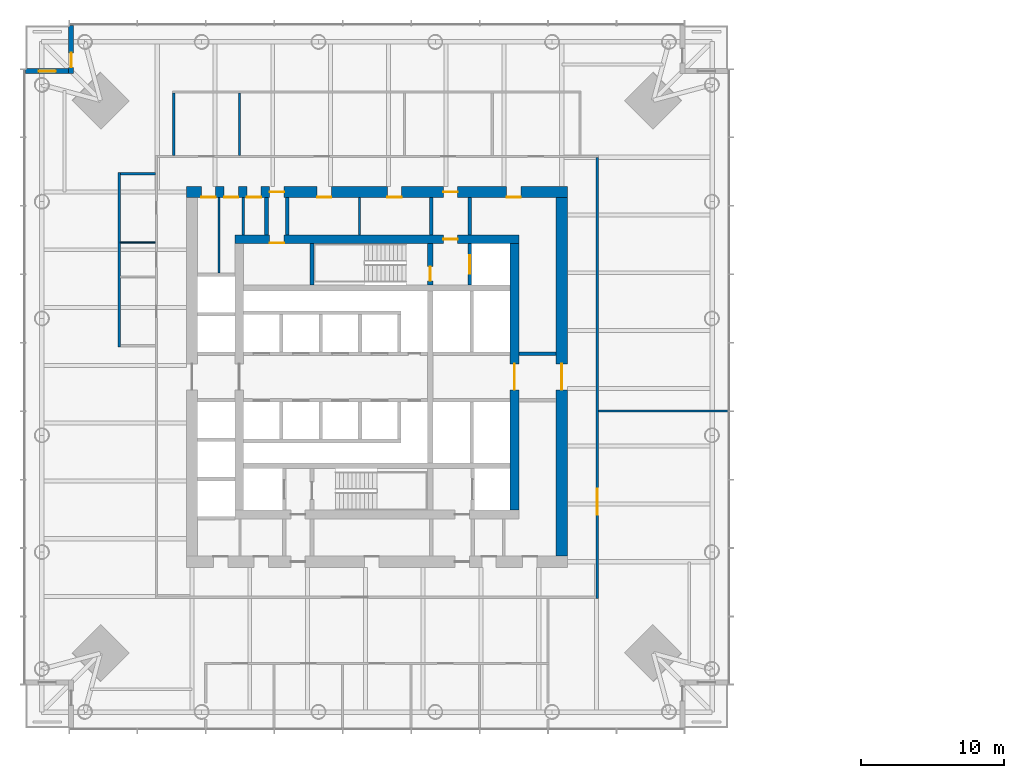
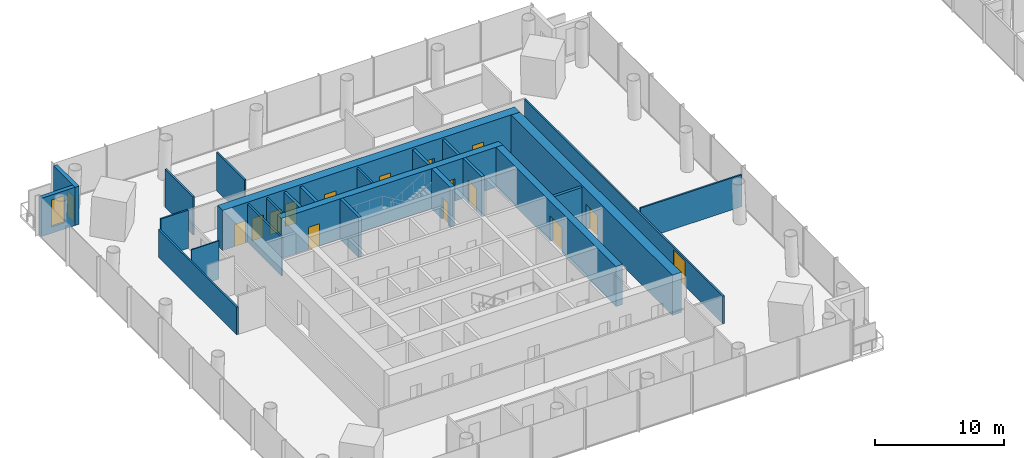
# One storey, part 12 of 22: 24 walls, 16 doors, 1 window, 17 openings.
"""IFC4 building model written with IfcOpenShell, lengths in metres."""

from ifc_helpers import new_model, si_unit, direction, frame, frame_2d, origin, place, context, subcontext, project, spatial, rectangle, extrude, material, layer, layer_set, type_object, element, fill, save


model = new_model("IFC4")

# Units and contexts
model_context = context("Model", 3, precision=1e-05, world=origin(), true_north=direction((0.0, 1.0)))
body_context = subcontext(model_context, "Body", "Model", "MODEL_VIEW")
ifc_project = project(units=[si_unit("LENGTHUNIT", "METRE"), si_unit("AREAUNIT", "SQUARE_METRE"), si_unit("VOLUMEUNIT", "CUBIC_METRE"), si_unit("PLANEANGLEUNIT", "RADIAN"), si_unit("MASSUNIT", "GRAM", prefix="KILO")], contexts=[model_context])

# Site, building, storey
site_placement = place(None, origin())
site = spatial("IfcSite", under=ifc_project, at=site_placement, CompositionType="ELEMENT")
building_placement = place(site_placement, origin())
building = spatial("IfcBuilding", under=site, at=building_placement, Name="Ostroluk Exchange", CompositionType="ELEMENT")
storey_placement = place(building_placement, frame((0.0, 0.0, 40.0)))
storey = spatial("IfcBuildingStorey", under=building, at=storey_placement, Name="L09", CompositionType="ELEMENT", Elevation=40.0)

# Walls
ifc_material_1 = material(Name="Concrete blockwork", Category="masonry")
ifc_layer_1 = layer(ifc_material_1, 0.10009765625)
ifc_layer_set_1 = layer_set([ifc_layer_1], Name="Blockwork WC wall 100")
wall_type_1 = type_object("IfcWallType", Name="Blockwork WC wall 100", PredefinedType="SOLIDWALL", material=ifc_layer_set_1)
wall_1_placement = place(storey_placement, frame((29.550048828125, 55.375, 0.0), z_axis=(0.0, 0.0, 1.0), x_axis=(-1.0, 0.0, 0.0)))
element("IfcWall", 1, at=wall_1_placement, inside=storey, type_object=wall_type_1, Name="Blockwork WC wall", PredefinedType="SOLIDWALL", context=body_context, shape_type="SweptSolid", body=[
    extrude(rectangle(XDim=2.449951171875, YDim=0.10009765625, at=frame_2d((1.22509765625, 0.0))), origin(), (0.0, 0.0, 1.0), 3.6201171875),
])
ifc_material_2 = material(Name="Concrete blockwork", Category="masonry")
ifc_layer_2 = layer(ifc_material_2, 0.14990234375)
ifc_layer_set_2 = layer_set([ifc_layer_2], Name="Blockwork plant room wall 150")
wall_type_2 = type_object("IfcWallType", Name="Blockwork plant room wall 150", PredefinedType="SOLIDWALL", material=ifc_layer_set_2)
wall_2_placement = place(storey_placement, frame((33.99609375, 53.25, 0.0), z_axis=(0.0, 0.0, 1.0), x_axis=(0.0, 1.0, 0.0)))
element("IfcWall", 2, at=wall_2_placement, inside=storey, type_object=wall_type_2, Name="Core room wall", PredefinedType="SOLIDWALL", context=body_context, shape_type="SweptSolid", body=[
    extrude(rectangle(XDim=5.25, YDim=0.14990234375, at=frame_2d((2.625, 0.0))), origin(), (0.0, 0.0, 1.0), 3.6201171875),
])
for number, where, z_axis, x_axis, name in (
    (3, (35.678955078125, 55.89990234375, 0.0), (0.0, 0.0, 1.0), (0.0, 1.0, 0.0), "Core room wall"),
    (4, (43.777587890625, 55.89990234375, 0.0), (0.0, 0.0, 1.0), (0.0, 1.0, 0.0), "Core room wall"),
):
    element("IfcWall", number, at=place(storey_placement, frame(where, z_axis=z_axis, x_axis=x_axis)), inside=storey, type_object=wall_type_2, Name=name, PredefinedType="SOLIDWALL", context=body_context, shape_type="SweptSolid", body=[
        extrude(rectangle(XDim=2.60009765625, YDim=0.14990234375, at=frame_2d((1.300048828125, 0.0))), origin(), (0.0, 0.0, 1.0), 3.6201171875),
    ])
ifc_material_3 = material(Name="Concrete blockwork", Category="masonry")
ifc_layer_3 = layer(ifc_material_3, 0.25)
ifc_layer_set_3 = layer_set([ifc_layer_3], Name="Blockwork stair enclosure wall 250")
wall_type_3 = type_object("IfcWallType", Name="Blockwork stair enclosure wall 250", PredefinedType="SOLIDWALL", material=ifc_layer_set_3)
for number, where, z_axis, x_axis, name in (
    (5, (48.804931640625, 55.89990234375, 0.0), (0.0, 0.0, 1.0), (0.0, 1.0, 0.0), "Fire lobby enclosure wall"),
    (6, (51.47509765625, 55.89990234375, 0.0), (0.0, 0.0, 1.0), (0.0, 1.0, 0.0), "Fire lobby enclosure wall"),
    (7, (54.89990234375, 47.625, 0.0), (0.0, 0.0, 1.0), (1.0, 0.0, 0.0), "Lift lobby enclosure wall"),
    (8, (37.300048828125, 55.89990234375, 0.0), (0.0, 0.0, 1.0), (0.0, 1.0, 0.0), "Core corridor wall"),
    (9, (38.75, 55.89990234375, 0.0), (0.0, 0.0, 1.0), (0.0, 1.0, 0.0), "Core corridor wall"),
):
    element("IfcWall", number, at=place(storey_placement, frame(where, z_axis=z_axis, x_axis=x_axis)), inside=storey, type_object=wall_type_3, Name=name, PredefinedType="SOLIDWALL", context=body_context, shape_type="SweptSolid", body=[
        extrude(rectangle(XDim=2.60009765625, YDim=0.25, at=frame_2d((1.300048828125, 0.0))), origin(), (0.0, 0.0, 1.0), 3.6201171875),
    ])

# Wall, opening, door
ifc_material_4 = material(Name="Concrete C50/60", Category="concrete")
ifc_layer_4 = layer(ifc_material_4, 0.39990234375)
ifc_layer_set_4 = layer_set([ifc_layer_4], Name="Core cross wall 400 C50/60")
wall_type_4 = type_object("IfcWallType", Name="Core cross wall 400 C50/60", PredefinedType="SHEAR", material=ifc_layer_set_4)
wall_3_placement = place(storey_placement, frame((48.72998046875, 52.39990234375, 0.0), z_axis=(0.0, 0.0, 1.0), x_axis=(0.0, 1.0, 0.0)))
wall_3 = element("IfcWall", 10, at=wall_3_placement, inside=storey, type_object=wall_type_4, Name="T1 core wall YE3", PredefinedType="SHEAR", context=body_context, shape_type="SweptSolid", body=[
    extrude(rectangle(XDim=2.900146484375, YDim=0.39990234375, at=frame_2d((1.4501953125, 0.0))), origin(), (0.0, 0.0, 1.0), 3.800048828125),
])
opening_1_placement = place(wall_3_placement, frame((0.300048828125, 0.0, 0.0)))
opening_1 = element("IfcOpeningElement", 11, at=opening_1_placement, cuts=wall_3, Name="Opening FD60", PredefinedType="OPENING", context=body_context, shape_type="SweptSolid", body=[
    extrude(rectangle(XDim=1.0, YDim=2.10009765625, at=frame_2d((0.5, 1.050048828125))), frame((0.0, 0.2099609375, 0.0), z_axis=(0.0, -1.0, 0.0), x_axis=(1.0, 0.0, 0.0)), (0.0, 0.0, 1.0), 0.419921875),
])
ifc_material_5 = material(Name="Steel", Category="steel")
door_type_1 = type_object("IfcDoorType", Name="Fire door EI 60 1000 x 2100", OperationType="SINGLE_SWING_LEFT", PredefinedType="DOOR", material=ifc_material_5)
door_1_placement = place(opening_1_placement, origin())
door_1 = element("IfcDoor", 12, at=door_1_placement, inside=storey, type_object=door_type_1, Name="Stair T1-S2 door", OperationType="SINGLE_SWING_LEFT", OverallHeight=2.10009765625, OverallWidth=1.0, PredefinedType="DOOR", context=body_context, shape_type="SweptSolid", body=[
    extrude(rectangle(XDim=1.0, YDim=2.10009765625, at=frame_2d((0.5, 1.050048828125))), frame((0.0, 0.02490234375, 0.0), z_axis=(0.0, -1.0, 0.0), x_axis=(1.0, 0.0, 0.0)), (0.0, 0.0, 1.0), 0.050048828125),
])
fill(opening_1, door_1)

# Wall
ifc_material_6 = material(Name="Concrete C40/50", Category="concrete")
ifc_layer_5 = layer(ifc_material_6, 0.25)
ifc_layer_set_5 = layer_set([ifc_layer_5], Name="Core shaft wall 250")
wall_type_5 = type_object("IfcWallType", Name="Core shaft wall 250", PredefinedType="SHEAR", material=ifc_layer_set_5)
wall_4_placement = place(storey_placement, frame((40.47509765625, 52.39990234375, 0.0), z_axis=(0.0, 0.0, 1.0), x_axis=(0.0, 1.0, 0.0)))
element("IfcWall", 13, at=wall_4_placement, inside=storey, type_object=wall_type_5, Name="Stair shaft wall", PredefinedType="SHEAR", context=body_context, shape_type="SweptSolid", body=[
    extrude(rectangle(XDim=2.900146484375, YDim=0.25, at=frame_2d((1.4501953125, 0.0))), origin(), (0.0, 0.0, 1.0), 3.800048828125),
])

# Wall, opening, door
wall_5_placement = place(storey_placement, frame((51.47509765625, 52.39990234375, 0.0), z_axis=(0.0, 0.0, 1.0), x_axis=(0.0, 1.0, 0.0)))
wall_5 = element("IfcWall", 14, at=wall_5_placement, inside=storey, type_object=wall_type_5, Name="Firefighting lift shaft wall", PredefinedType="SHEAR", context=body_context, shape_type="SweptSolid", body=[
    extrude(rectangle(XDim=2.900146484375, YDim=0.25, at=frame_2d((1.4501953125, 0.0))), origin(), (0.0, 0.0, 1.0), 3.800048828125),
])
opening_2_placement = place(wall_5_placement, frame((0.800048828125, 0.0, 0.0)))
opening_2 = element("IfcOpeningElement", 15, at=opening_2_placement, cuts=wall_5, Name="Opening LD2", PredefinedType="OPENING", context=body_context, shape_type="SweptSolid", body=[
    extrude(rectangle(XDim=1.300048828125, YDim=2.199951171875, at=frame_2d((0.64990234375, 1.10009765625))), frame((0.0, 0.135009765625, 0.0), z_axis=(0.0, -1.0, 0.0), x_axis=(1.0, 0.0, 0.0)), (0.0, 0.0, 1.0), 0.27001953125),
])
ifc_material_7 = material(Name="Stainless steel", Category="steel")
door_type_2 = type_object("IfcDoorType", Name="Lift landing door E 60 1300 x 2200", OperationType="DOUBLE_DOOR_SLIDING", PredefinedType="DOOR", material=ifc_material_7)
door_2_placement = place(opening_2_placement, origin())
door_2 = element("IfcDoor", 16, at=door_2_placement, inside=storey, type_object=door_type_2, Name="Lift FL2 landing door", OperationType="DOUBLE_DOOR_SLIDING", OverallHeight=2.199951171875, OverallWidth=1.300048828125, PredefinedType="DOOR", context=body_context, shape_type="SweptSolid", body=[
    extrude(rectangle(XDim=1.300048828125, YDim=2.199951171875, at=frame_2d((0.64990234375, 1.10009765625))), frame((0.0, 0.02490234375, 0.0), z_axis=(0.0, -1.0, 0.0), x_axis=(1.0, 0.0, 0.0)), (0.0, 0.0, 1.0), 0.050048828125),
])
fill(opening_2, door_2)

# Wall, openings, doors
ifc_material_8 = material(Name="Concrete C50/60", Category="concrete")
ifc_layer_6 = layer(ifc_material_8, 0.60009765625)
ifc_layer_set_6 = layer_set([ifc_layer_6], Name="Core wall 600 C50/60")
wall_type_6 = type_object("IfcWallType", Name="Core wall 600 C50/60", PredefinedType="SHEAR", material=ifc_layer_set_6)
wall_6_placement = place(storey_placement, frame((35.10009765625, 55.60009765625, 0.0), z_axis=(0.0, 0.0, 1.0), x_axis=(1.0, 0.0, 0.0)))
wall_6 = element("IfcWall", 17, at=wall_6_placement, inside=storey, type_object=wall_type_6, Name="T1 core wall N", PredefinedType="SHEAR", context=body_context, shape_type="SweptSolid", body=[
    extrude(rectangle(XDim=19.7998046875, YDim=0.60009765625, at=frame_2d((9.89990234375, 0.0))), origin(), (0.0, 0.0, 1.0), 3.800048828125),
])
opening_3_placement = place(wall_6_placement, frame((14.5400390625, 0.0, 0.0)))
opening_3 = element("IfcOpeningElement", 18, at=opening_3_placement, cuts=wall_6, Name="Opening FD60", PredefinedType="OPENING", context=body_context, shape_type="SweptSolid", body=[
    extrude(rectangle(XDim=1.0, YDim=2.10009765625, at=frame_2d((0.5, 1.050048828125))), frame((0.0, 0.31005859375, 0.0), z_axis=(0.0, -1.0, 0.0), x_axis=(1.0, 0.0, 0.0)), (0.0, 0.0, 1.0), 0.6201171875),
])
opening_4_placement = place(wall_6_placement, frame((2.425048828125, 0.0, 0.0)))
opening_4 = element("IfcOpeningElement", 19, at=opening_4_placement, cuts=wall_6, Name="Opening FD60", PredefinedType="OPENING", context=body_context, shape_type="SweptSolid", body=[
    extrude(rectangle(XDim=1.0, YDim=2.10009765625, at=frame_2d((0.5, 1.050048828125))), frame((0.0, 0.31005859375, 0.0), z_axis=(0.0, -1.0, 0.0), x_axis=(1.0, 0.0, 0.0)), (0.0, 0.0, 1.0), 0.6201171875),
])
door_3_placement = place(opening_3_placement, origin())
door_3 = element("IfcDoor", 20, at=door_3_placement, inside=storey, type_object=door_type_1, Name="Firefighting lobby door", OperationType="SINGLE_SWING_RIGHT", OverallHeight=2.10009765625, OverallWidth=1.0, PredefinedType="DOOR", context=body_context, shape_type="SweptSolid", body=[
    extrude(rectangle(XDim=1.0, YDim=2.10009765625, at=frame_2d((0.5, 1.050048828125))), frame((0.0, 0.02490234375, 0.0), z_axis=(0.0, -1.0, 0.0), x_axis=(1.0, 0.0, 0.0)), (0.0, 0.0, 1.0), 0.050048828125),
])
fill(opening_3, door_3)
door_4_placement = place(opening_4_placement, origin())
door_4 = element("IfcDoor", 21, at=door_4_placement, inside=storey, type_object=door_type_1, Name="Tea point door", OperationType="SINGLE_SWING_LEFT", OverallHeight=2.10009765625, OverallWidth=1.0, PredefinedType="DOOR", context=body_context, shape_type="SweptSolid", body=[
    extrude(rectangle(XDim=1.0, YDim=2.10009765625, at=frame_2d((0.5, 1.050048828125))), frame((0.0, -0.23974609375, 0.0), z_axis=(0.0, -1.0, 0.0), x_axis=(1.0, 0.0, 0.0)), (0.0, 0.0, 1.0), 0.050048828125),
])
fill(opening_4, door_4)

# Wall, opening, door
wall_7_placement = place(storey_placement, frame((54.60009765625, 36.699951171875, 0.0), z_axis=(0.0, 0.0, 1.0), x_axis=(0.0, 1.0, 0.0)))
wall_7 = element("IfcWall", 22, at=wall_7_placement, inside=storey, type_object=wall_type_6, Name="T1 core wall E", PredefinedType="SHEAR", context=body_context, shape_type="SweptSolid", body=[
    extrude(rectangle(XDim=18.60009765625, YDim=0.60009765625, at=frame_2d((9.300048828125, 0.0))), origin(), (0.0, 0.0, 1.0), 3.800048828125),
])
opening_5_placement = place(wall_7_placement, frame((8.39990234375, 0.0, 0.0)))
opening_5 = element("IfcOpeningElement", 23, at=opening_5_placement, cuts=wall_7, Name="Opening FD30D", PredefinedType="OPENING", context=body_context, shape_type="SweptSolid", body=[
    extrude(rectangle(XDim=1.800048828125, YDim=2.39990234375, at=frame_2d((0.89990234375, 1.199951171875))), frame((0.0, 0.31005859375, 0.0), z_axis=(0.0, -1.0, 0.0), x_axis=(1.0, 0.0, 0.0)), (0.0, 0.0, 1.0), 0.6201171875),
])
ifc_material_9 = material(Name="Timber", Category="wood")
door_type_3 = type_object("IfcDoorType", Name="Lobby double door EI 30 1800 x 2400", OperationType="DOUBLE_DOOR_SINGLE_SWING", PredefinedType="DOOR", material=ifc_material_9)
door_5_placement = place(opening_5_placement, origin())
door_5 = element("IfcDoor", 24, at=door_5_placement, inside=storey, type_object=door_type_3, Name="Lift lobby doors", OperationType="DOUBLE_DOOR_SINGLE_SWING", OverallHeight=2.39990234375, OverallWidth=1.800048828125, PredefinedType="DOOR", context=body_context, shape_type="SweptSolid", body=[
    extrude(rectangle(XDim=1.800048828125, YDim=2.39990234375, at=frame_2d((0.89990234375, 1.199951171875))), frame((0.0, 0.02490234375, 0.0), z_axis=(0.0, -1.0, 0.0), x_axis=(1.0, 0.0, 0.0)), (0.0, 0.0, 1.0), 0.050048828125),
])
fill(opening_5, door_5)

# Wall, openings, doors
ifc_material_10 = material(Name="Concrete C50/60", Category="concrete")
ifc_layer_7 = layer(ifc_material_10, 0.800048828125)
ifc_layer_set_7 = layer_set([ifc_layer_7], Name="Core wall 800 C50/60")
wall_type_7 = type_object("IfcWallType", Name="Core wall 800 C50/60", PredefinedType="SHEAR", material=ifc_layer_set_7)
wall_8_placement = place(storey_placement, frame((31.699951171875, 58.89990234375, 0.0), z_axis=(0.0, 0.0, 1.0), x_axis=(1.0, 0.0, 0.0)))
wall_8 = element("IfcWall", 25, at=wall_8_placement, inside=storey, type_object=wall_type_7, Name="T1 core wall RN", PredefinedType="SHEAR", context=body_context, shape_type="SweptSolid", body=[
    extrude(rectangle(XDim=26.60009765625, YDim=0.800048828125, at=frame_2d((13.300048828125, 0.0))), origin(), (0.0, 0.0, 1.0), 3.800048828125),
])
opening_6_placement = place(wall_8_placement, frame((17.93994140625, 0.0, 0.0)))
opening_6 = element("IfcOpeningElement", 26, at=opening_6_placement, cuts=wall_8, Name="Opening FD60", PredefinedType="OPENING", context=body_context, shape_type="SweptSolid", body=[
    extrude(rectangle(XDim=1.0, YDim=2.10009765625, at=frame_2d((0.5, 1.050048828125))), frame((0.0, 0.409912109375, 0.0), z_axis=(0.0, -1.0, 0.0), x_axis=(1.0, 0.0, 0.0)), (0.0, 0.0, 1.0), 0.820068359375),
])
opening_7_placement = place(wall_8_placement, frame((5.824951171875, 0.0, 0.0)))
opening_7 = element("IfcOpeningElement", 27, at=opening_7_placement, cuts=wall_8, Name="Opening FD60", PredefinedType="OPENING", context=body_context, shape_type="SweptSolid", body=[
    extrude(rectangle(XDim=1.0, YDim=2.10009765625, at=frame_2d((0.5, 1.050048828125))), frame((0.0, 0.409912109375, 0.0), z_axis=(0.0, -1.0, 0.0), x_axis=(1.0, 0.0, 0.0)), (0.0, 0.0, 1.0), 0.820068359375),
])
opening_8_placement = place(wall_8_placement, frame((1.050048828125, 0.0, 0.0)))
opening_8 = element("IfcOpeningElement", 28, at=opening_8_placement, cuts=wall_8, Name="Opening FD60", PredefinedType="OPENING", context=body_context, shape_type="SweptSolid", body=[
    extrude(rectangle(XDim=1.0, YDim=2.10009765625, at=frame_2d((0.5, 1.050048828125))), frame((0.0, 0.409912109375, 0.0), z_axis=(0.0, -1.0, 0.0), x_axis=(1.0, 0.0, 0.0)), (0.0, 0.0, 1.0), 0.820068359375),
])
opening_9_placement = place(wall_8_placement, frame((2.637451171875, 0.0, 0.0)))
opening_9 = element("IfcOpeningElement", 29, at=opening_9_placement, cuts=wall_8, Name="Opening FD60", PredefinedType="OPENING", context=body_context, shape_type="SweptSolid", body=[
    extrude(rectangle(XDim=1.0, YDim=2.10009765625, at=frame_2d((0.5, 1.050048828125))), frame((0.0, 0.409912109375, 0.0), z_axis=(0.0, -1.0, 0.0), x_axis=(1.0, 0.0, 0.0)), (0.0, 0.0, 1.0), 0.820068359375),
])
opening_10_placement = place(wall_8_placement, frame((4.22900390625, 0.0, 0.0)))
opening_10 = element("IfcOpeningElement", 30, at=opening_10_placement, cuts=wall_8, Name="Opening FD60", PredefinedType="OPENING", context=body_context, shape_type="SweptSolid", body=[
    extrude(rectangle(XDim=1.0, YDim=2.10009765625, at=frame_2d((0.5, 1.050048828125))), frame((0.0, 0.409912109375, 0.0), z_axis=(0.0, -1.0, 0.0), x_axis=(1.0, 0.0, 0.0)), (0.0, 0.0, 1.0), 0.820068359375),
])
opening_11_placement = place(wall_8_placement, frame((9.126220703125, 0.0, 0.0)))
opening_11 = element("IfcOpeningElement", 31, at=opening_11_placement, cuts=wall_8, Name="Opening FD60", PredefinedType="OPENING", context=body_context, shape_type="SweptSolid", body=[
    extrude(rectangle(XDim=1.0, YDim=2.10009765625, at=frame_2d((0.5, 1.050048828125))), frame((0.0, 0.409912109375, 0.0), z_axis=(0.0, -1.0, 0.0), x_axis=(1.0, 0.0, 0.0)), (0.0, 0.0, 1.0), 0.820068359375),
])
opening_12_placement = place(wall_8_placement, frame((14.02880859375, 0.0, 0.0)))
opening_12 = element("IfcOpeningElement", 32, at=opening_12_placement, cuts=wall_8, Name="Opening FD60", PredefinedType="OPENING", context=body_context, shape_type="SweptSolid", body=[
    extrude(rectangle(XDim=1.0, YDim=2.10009765625, at=frame_2d((0.5, 1.050048828125))), frame((0.0, 0.409912109375, 0.0), z_axis=(0.0, -1.0, 0.0), x_axis=(1.0, 0.0, 0.0)), (0.0, 0.0, 1.0), 0.820068359375),
])
opening_13_placement = place(wall_8_placement, frame((22.35009765625, 0.0, 0.0)))
opening_13 = element("IfcOpeningElement", 33, at=opening_13_placement, cuts=wall_8, Name="Opening FD60", PredefinedType="OPENING", context=body_context, shape_type="SweptSolid", body=[
    extrude(rectangle(XDim=1.0, YDim=2.10009765625, at=frame_2d((0.5, 1.050048828125))), frame((0.0, 0.409912109375, 0.0), z_axis=(0.0, -1.0, 0.0), x_axis=(1.0, 0.0, 0.0)), (0.0, 0.0, 1.0), 0.820068359375),
])
door_6_placement = place(opening_6_placement, origin())
door_6 = element("IfcDoor", 34, at=door_6_placement, inside=storey, type_object=door_type_1, Name="Firefighting lobby door", OperationType="SINGLE_SWING_RIGHT", OverallHeight=2.10009765625, OverallWidth=1.0, PredefinedType="DOOR", context=body_context, shape_type="SweptSolid", body=[
    extrude(rectangle(XDim=1.0, YDim=2.10009765625, at=frame_2d((0.5, 1.050048828125))), frame((0.0, 0.02490234375, 0.0), z_axis=(0.0, -1.0, 0.0), x_axis=(1.0, 0.0, 0.0)), (0.0, 0.0, 1.0), 0.050048828125),
])
fill(opening_6, door_6)
door_7_placement = place(opening_7_placement, origin())
door_7 = element("IfcDoor", 35, at=door_7_placement, inside=storey, type_object=door_type_1, Name="Core corridor door", OperationType="SINGLE_SWING_LEFT", OverallHeight=2.10009765625, OverallWidth=1.0, PredefinedType="DOOR", context=body_context, shape_type="SweptSolid", body=[
    extrude(rectangle(XDim=1.0, YDim=2.10009765625, at=frame_2d((0.5, 1.050048828125))), frame((0.0, 0.02490234375, 0.0), z_axis=(0.0, -1.0, 0.0), x_axis=(1.0, 0.0, 0.0)), (0.0, 0.0, 1.0), 0.050048828125),
])
fill(opening_7, door_7)
door_8_placement = place(opening_8_placement, origin())
door_8 = element("IfcDoor", 36, at=door_8_placement, inside=storey, type_object=door_type_1, Name="Tenant IT room door", OperationType="SINGLE_SWING_LEFT", OverallHeight=2.10009765625, OverallWidth=1.0, PredefinedType="DOOR", context=body_context, shape_type="SweptSolid", body=[
    extrude(rectangle(XDim=1.0, YDim=2.10009765625, at=frame_2d((0.5, 1.050048828125))), frame((0.0, -0.33984375, 0.0), z_axis=(0.0, -1.0, 0.0), x_axis=(1.0, 0.0, 0.0)), (0.0, 0.0, 1.0), 0.050048828125),
])
fill(opening_8, door_8)
door_9_placement = place(opening_9_placement, origin())
door_9 = element("IfcDoor", 37, at=door_9_placement, inside=storey, type_object=door_type_1, Name="First aid room door", OperationType="SINGLE_SWING_LEFT", OverallHeight=2.10009765625, OverallWidth=1.0, PredefinedType="DOOR", context=body_context, shape_type="SweptSolid", body=[
    extrude(rectangle(XDim=1.0, YDim=2.10009765625, at=frame_2d((0.5, 1.050048828125))), frame((0.0, -0.33984375, 0.0), z_axis=(0.0, -1.0, 0.0), x_axis=(1.0, 0.0, 0.0)), (0.0, 0.0, 1.0), 0.050048828125),
])
fill(opening_9, door_9)
door_10_placement = place(opening_10_placement, origin())
door_10 = element("IfcDoor", 38, at=door_10_placement, inside=storey, type_object=door_type_1, Name="Comms room door", OperationType="SINGLE_SWING_LEFT", OverallHeight=2.10009765625, OverallWidth=1.0, PredefinedType="DOOR", context=body_context, shape_type="SweptSolid", body=[
    extrude(rectangle(XDim=1.0, YDim=2.10009765625, at=frame_2d((0.5, 1.050048828125))), frame((0.0, -0.33984375, 0.0), z_axis=(0.0, -1.0, 0.0), x_axis=(1.0, 0.0, 0.0)), (0.0, 0.0, 1.0), 0.050048828125),
])
fill(opening_10, door_10)
door_11_placement = place(opening_11_placement, origin())
door_11 = element("IfcDoor", 39, at=door_11_placement, inside=storey, type_object=door_type_1, Name="Print and post room door", OperationType="SINGLE_SWING_LEFT", OverallHeight=2.10009765625, OverallWidth=1.0, PredefinedType="DOOR", context=body_context, shape_type="SweptSolid", body=[
    extrude(rectangle(XDim=1.0, YDim=2.10009765625, at=frame_2d((0.5, 1.050048828125))), frame((0.0, -0.33984375, 0.0), z_axis=(0.0, -1.0, 0.0), x_axis=(1.0, 0.0, 0.0)), (0.0, 0.0, 1.0), 0.050048828125),
])
fill(opening_11, door_11)
door_12_placement = place(opening_12_placement, origin())
door_12 = element("IfcDoor", 40, at=door_12_placement, inside=storey, type_object=door_type_1, Name="Archive door", OperationType="SINGLE_SWING_RIGHT", OverallHeight=2.10009765625, OverallWidth=1.0, PredefinedType="DOOR", context=body_context, shape_type="SweptSolid", body=[
    extrude(rectangle(XDim=1.0, YDim=2.10009765625, at=frame_2d((0.5, 1.050048828125))), frame((0.0, -0.33984375, 0.0), z_axis=(0.0, -1.0, 0.0), x_axis=(1.0, 0.0, 0.0)), (0.0, 0.0, 1.0), 0.050048828125),
])
fill(opening_12, door_12)
door_13_placement = place(opening_13_placement, origin())
door_13 = element("IfcDoor", 41, at=door_13_placement, inside=storey, type_object=door_type_1, Name="First aid room door", OperationType="SINGLE_SWING_RIGHT", OverallHeight=2.10009765625, OverallWidth=1.0, PredefinedType="DOOR", context=body_context, shape_type="SweptSolid", body=[
    extrude(rectangle(XDim=1.0, YDim=2.10009765625, at=frame_2d((0.5, 1.050048828125))), frame((0.0, -0.33984375, 0.0), z_axis=(0.0, -1.0, 0.0), x_axis=(1.0, 0.0, 0.0)), (0.0, 0.0, 1.0), 0.050048828125),
])
fill(opening_13, door_13)

# Wall, opening, door
wall_9_placement = place(storey_placement, frame((57.89990234375, 33.5, 0.0), z_axis=(0.0, 0.0, 1.0), x_axis=(0.0, 1.0, 0.0)))
wall_9 = element("IfcWall", 42, at=wall_9_placement, inside=storey, type_object=wall_type_7, Name="T1 core wall RE", PredefinedType="SHEAR", context=body_context, shape_type="SweptSolid", body=[
    extrude(rectangle(XDim=25.0, YDim=0.800048828125, at=frame_2d((12.5, 0.0))), origin(), (0.0, 0.0, 1.0), 3.800048828125),
])
opening_14_placement = place(wall_9_placement, frame((11.60009765625, 0.0, 0.0)))
opening_14 = element("IfcOpeningElement", 43, at=opening_14_placement, cuts=wall_9, Name="Opening FD30D", PredefinedType="OPENING", context=body_context, shape_type="SweptSolid", body=[
    extrude(rectangle(XDim=1.800048828125, YDim=2.39990234375, at=frame_2d((0.89990234375, 1.199951171875))), frame((0.0, 0.409912109375, 0.0), z_axis=(0.0, -1.0, 0.0), x_axis=(1.0, 0.0, 0.0)), (0.0, 0.0, 1.0), 0.820068359375),
])
door_14_placement = place(opening_14_placement, origin())
door_14 = element("IfcDoor", 44, at=door_14_placement, inside=storey, type_object=door_type_3, Name="Lift lobby doors", OperationType="DOUBLE_DOOR_SINGLE_SWING", OverallHeight=2.39990234375, OverallWidth=1.800048828125, PredefinedType="DOOR", context=body_context, shape_type="SweptSolid", body=[
    extrude(rectangle(XDim=1.800048828125, YDim=2.39990234375, at=frame_2d((0.89990234375, 1.199951171875))), frame((0.0, 0.02490234375, 0.0), z_axis=(0.0, -1.0, 0.0), x_axis=(1.0, 0.0, 0.0)), (0.0, 0.0, 1.0), 0.050048828125),
])
fill(opening_14, door_14)

ifc_material_11 = material(Name="Limestone", Category="masonry")
ifc_layer_8 = layer(ifc_material_11, 0.35009765625)
ifc_layer_set_8 = layer_set([ifc_layer_8], Name="Limestone facade wall 350")
wall_type_8 = type_object("IfcWallType", Name="Limestone facade wall 350", PredefinedType="SOLIDWALL", material=ifc_layer_set_8)
wall_10_placement = place(storey_placement, frame((23.675048828125, 70.5, 0.0), z_axis=(0.0, 0.0, 1.0), x_axis=(0.0, -1.0, 0.0)))
wall_10 = element("IfcWall", 45, at=wall_10_placement, inside=storey, type_object=wall_type_8, Name="Office tower NW corner wall L09 a", PredefinedType="SOLIDWALL", context=body_context, shape_type="SweptSolid", body=[
    extrude(rectangle(XDim=3.35009765625, YDim=0.35009765625, at=frame_2d((1.675048828125, 0.0))), origin(), (0.0, 0.0, 1.0), 3.6201171875),
])
opening_15_placement = place(wall_10_placement, frame((1.89990234375, 0.0, 0.0)))
opening_15 = element("IfcOpeningElement", 46, at=opening_15_placement, cuts=wall_10, Name="Opening D-B1", PredefinedType="OPENING", context=body_context, shape_type="SweptSolid", body=[
    extrude(rectangle(XDim=1.0, YDim=2.39990234375, at=frame_2d((0.5, 1.199951171875))), frame((0.0, 0.18505859375, 0.0), z_axis=(0.0, -1.0, 0.0), x_axis=(1.0, 0.0, 0.0)), (0.0, 0.0, 1.0), 0.3701171875),
])
ifc_material_12 = material(Name="Bronze framed glazed door", Category="aluminium")
door_type_4 = type_object("IfcDoorType", Name="Balcony door 1000 x 2400", OperationType="SINGLE_SWING_LEFT", PredefinedType="DOOR", material=ifc_material_12)
door_15_placement = place(opening_15_placement, origin())
door_15 = element("IfcDoor", 47, at=door_15_placement, inside=storey, type_object=door_type_4, Name="Office tower NW balcony door L09", OperationType="SINGLE_SWING_RIGHT", OverallHeight=2.39990234375, OverallWidth=1.0, PredefinedType="DOOR", context=body_context, shape_type="SweptSolid", body=[
    extrude(rectangle(XDim=1.0, YDim=2.39990234375, at=frame_2d((0.5, 1.199951171875))), frame((0.0, 0.02490234375, 0.0), z_axis=(0.0, -1.0, 0.0), x_axis=(1.0, 0.0, 0.0)), (0.0, 0.0, 1.0), 0.050048828125),
])
fill(opening_15, door_15)

# Wall, opening, window
wall_11_placement = place(storey_placement, frame((23.5, 67.324951171875, 0.0), z_axis=(0.0, 0.0, 1.0), x_axis=(-1.0, 0.0, 0.0)))
wall_11 = element("IfcWall", 48, at=wall_11_placement, inside=storey, type_object=wall_type_8, Name="Office tower NW corner wall L09 b", PredefinedType="SOLIDWALL", context=body_context, shape_type="SweptSolid", body=[
    extrude(rectangle(XDim=3.0, YDim=0.35009765625, at=frame_2d((1.5, 0.0))), origin(), (0.0, 0.0, 1.0), 3.6201171875),
])
opening_16_placement = place(wall_11_placement, frame((0.89990234375, 0.0, 0.60009765625)))
opening_16 = element("IfcOpeningElement", 49, at=opening_16_placement, cuts=wall_11, Name="Opening WN-L1", PredefinedType="OPENING", context=body_context, shape_type="SweptSolid", body=[
    extrude(rectangle(XDim=1.199951171875, YDim=2.550048828125, at=frame_2d((0.60009765625, 1.27490234375))), frame((0.0, 0.18505859375, 0.0), z_axis=(0.0, -1.0, 0.0), x_axis=(1.0, 0.0, 0.0)), (0.0, 0.0, 1.0), 0.3701171875),
])
ifc_material_13 = material(Name="Laminated clear glass", Category="glass")
window_type = type_object("IfcWindowType", Name="Lancet window 1200 x 2550", PartitioningType="SINGLE_PANEL", PredefinedType="WINDOW", material=ifc_material_13)
window_placement = place(opening_16_placement, origin())
window = element("IfcWindow", 50, at=window_placement, inside=storey, type_object=window_type, Name="Office tower NW lancet window L09", OverallHeight=2.550048828125, OverallWidth=1.199951171875, PartitioningType="SINGLE_PANEL", PredefinedType="WINDOW", context=body_context, shape_type="SweptSolid", body=[
    extrude(rectangle(XDim=1.199951171875, YDim=2.550048828125, at=frame_2d((0.60009765625, 1.27490234375))), frame((0.0, 0.030029296875, 0.0), z_axis=(0.0, -1.0, 0.0), x_axis=(1.0, 0.0, 0.0)), (0.0, 0.0, 1.0), 0.06005859375),
])
fill(opening_16, window)

# Walls
ifc_material_14 = material(Name="Gypsum plasterboard partition", Category="gypsum")
ifc_layer_9 = layer(ifc_material_14, 0.14990234375)
ifc_layer_set_9 = layer_set([ifc_layer_9], Name="Plasterboard partition 150")
wall_type_9 = type_object("IfcWallType", Name="Plasterboard partition 150", PredefinedType="PARTITIONING", material=ifc_layer_set_9)
for number, where, z_axis, x_axis, name in (
    (51, (35.42236328125, 61.449951171875, 0.0), (0.0, 0.0, 1.0), (0.0, 1.0, 0.0), "Partition"),
    (52, (30.824951171875, 61.449951171875, 0.0), (0.0, 0.0, 1.0), (0.0, 1.0, 0.0), "Partition"),
):
    element("IfcWall", number, at=place(storey_placement, frame(where, z_axis=z_axis, x_axis=x_axis)), inside=storey, type_object=wall_type_9, Name=name, PredefinedType="PARTITIONING", context=body_context, shape_type="SweptSolid", body=[
        extrude(rectangle(XDim=4.35009765625, YDim=0.14990234375, at=frame_2d((2.175048828125, 0.0))), origin(), (0.0, 0.0, 1.0), 3.6201171875),
    ])
wall_12_placement = place(storey_placement, frame((60.449951171875, 43.611083984375, 0.0), z_axis=(0.0, 0.0, 1.0), x_axis=(1.0, 0.0, 0.0)))
element("IfcWall", 53, at=wall_12_placement, inside=storey, type_object=wall_type_9, Name="Tenancy partition", PredefinedType="PARTITIONING", context=body_context, shape_type="SweptSolid", body=[
    extrude(rectangle(XDim=9.090087890625, YDim=0.14990234375, at=frame_2d((4.544921875, 0.0))), origin(), (0.0, 0.0, 1.0), 3.02001953125),
])

# Wall, opening, door
wall_13_placement = place(storey_placement, frame((60.375, 30.550048828125, 0.0), z_axis=(0.0, 0.0, 1.0), x_axis=(0.0, 1.0, 0.0)))
wall_13 = element("IfcWall", 54, at=wall_13_placement, inside=storey, type_object=wall_type_9, Name="Corridor wall", PredefinedType="PARTITIONING", context=body_context, shape_type="SweptSolid", body=[
    extrude(rectangle(XDim=30.75, YDim=0.14990234375, at=frame_2d((15.375, 0.0))), origin(), (0.0, 0.0, 1.0), 2.612060546875),
])
opening_17_placement = place(wall_13_placement, frame((5.83056640625, 0.0, 0.0)))
opening_17 = element("IfcOpeningElement", 55, at=opening_17_placement, cuts=wall_13, Name="Opening D-04", PredefinedType="OPENING", context=body_context, shape_type="SweptSolid", body=[
    extrude(rectangle(XDim=1.800048828125, YDim=2.39990234375, at=frame_2d((0.89990234375, 1.199951171875))), frame((0.0, 0.0849609375, 0.0), z_axis=(0.0, -1.0, 0.0), x_axis=(1.0, 0.0, 0.0)), (0.0, 0.0, 1.0), 0.169921875),
])
ifc_material_15 = material(Name="Timber", Category="wood")
door_type_5 = type_object("IfcDoorType", Name="Double door 1800 x 2400", OperationType="DOUBLE_DOOR_SINGLE_SWING", PredefinedType="DOOR", material=ifc_material_15)
door_16_placement = place(opening_17_placement, origin())
door_16 = element("IfcDoor", 56, at=door_16_placement, inside=storey, type_object=door_type_5, Name="Open plan office door", OperationType="DOUBLE_DOOR_SINGLE_SWING", OverallHeight=2.39990234375, OverallWidth=1.800048828125, PredefinedType="DOOR", context=body_context, shape_type="SweptSolid", body=[
    extrude(rectangle(XDim=1.800048828125, YDim=2.39990234375, at=frame_2d((0.89990234375, 1.199951171875))), frame((0.0, 0.02490234375, 0.0), z_axis=(0.0, -1.0, 0.0), x_axis=(1.0, 0.0, 0.0)), (0.0, 0.0, 1.0), 0.050048828125),
])
fill(opening_17, door_16)

# Walls
ifc_material_16 = material(Name="Gypsum plasterboard partition, moisture resistant", Category="gypsum")
ifc_layer_10 = layer(ifc_material_16, 0.14990234375)
ifc_layer_set_10 = layer_set([ifc_layer_10], Name="Plasterboard toilet partition 150")
wall_type_10 = type_object("IfcWallType", Name="Plasterboard toilet partition 150", PredefinedType="PARTITIONING", material=ifc_layer_set_10)
wall_14_placement = place(storey_placement, frame((27.02490234375, 60.25, 0.0), z_axis=(0.0, 0.0, 1.0), x_axis=(0.0, -1.0, 0.0)))
element("IfcWall", 57, at=wall_14_placement, inside=storey, type_object=wall_type_10, Name="Toilet partition", PredefinedType="PARTITIONING", context=body_context, shape_type="SweptSolid", body=[
    extrude(rectangle(XDim=12.14990234375, YDim=0.14990234375, at=frame_2d((6.074951171875, 0.0))), origin(), (0.0, 0.0, 1.0), 2.612060546875),
])
wall_15_placement = place(storey_placement, frame((29.550048828125, 60.175048828125, 0.0), z_axis=(0.0, 0.0, 1.0), x_axis=(-1.0, 0.0, 0.0)))
element("IfcWall", 58, at=wall_15_placement, inside=storey, type_object=wall_type_10, Name="Toilet partition", PredefinedType="PARTITIONING", context=body_context, shape_type="SweptSolid", body=[
    extrude(rectangle(XDim=2.449951171875, YDim=0.14990234375, at=frame_2d((1.22509765625, 0.0))), origin(), (0.0, 0.0, 1.0), 3.6201171875),
])

save(model, "model.ifc")
